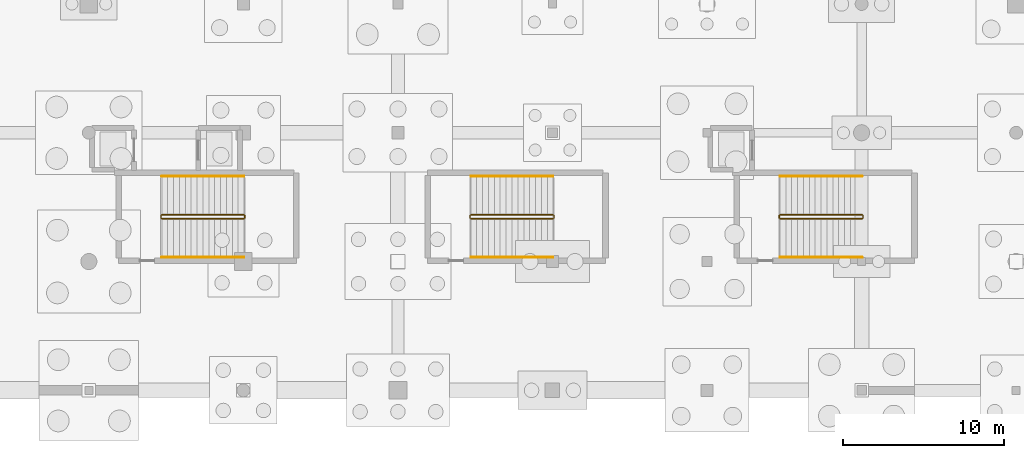
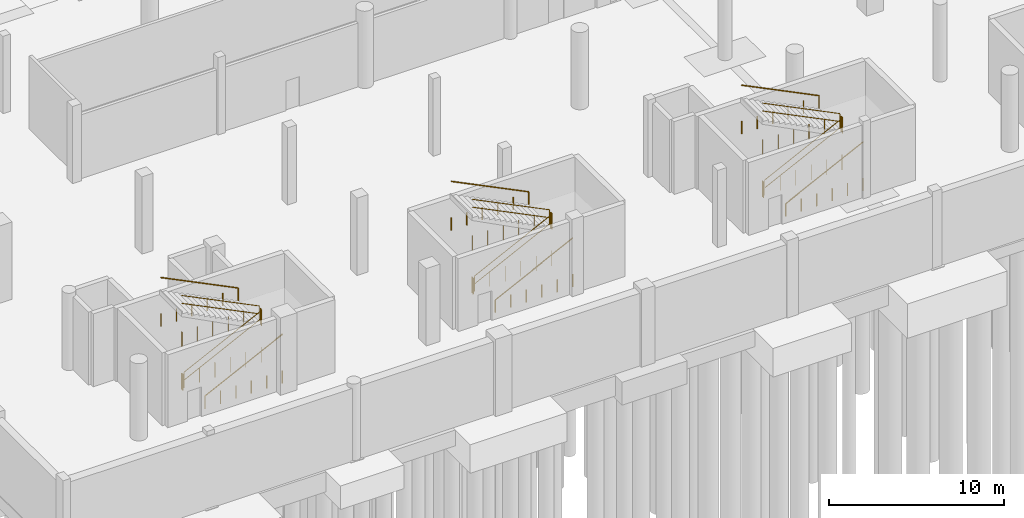
# One storey, part 34 of 44: 18 railings.
"""IFC4 building model written with IfcOpenShell, lengths in metres."""

from ifc_helpers import new_model, si_unit, direction, frame, origin, origin_2d, place, context, subcontext, project, spatial, circle, extrude, material, type_object, element, save


model = new_model("IFC4")

# Units and contexts
model_context = context("Model", 3, precision=1e-05, world=origin(), true_north=direction((0.0, 1.0)))
body_context = subcontext(model_context, "Body", "Model", "MODEL_VIEW")
ifc_project = project(units=[si_unit("LENGTHUNIT", "METRE"), si_unit("AREAUNIT", "SQUARE_METRE"), si_unit("VOLUMEUNIT", "CUBIC_METRE"), si_unit("PLANEANGLEUNIT", "RADIAN"), si_unit("MASSUNIT", "GRAM", prefix="KILO")], contexts=[model_context])

# Site, building, storey
site_placement = place(None, origin())
site = spatial("IfcSite", under=ifc_project, at=site_placement, CompositionType="ELEMENT")
building_placement = place(site_placement, origin())
building = spatial("IfcBuilding", under=site, at=building_placement, Name="Danafjord Basin Convention Centre", CompositionType="ELEMENT")
storey_placement = place(building_placement, frame((0.0, 0.0, -5.39990234375)))
storey = spatial("IfcBuildingStorey", under=building, at=storey_placement, Name="B1", CompositionType="ELEMENT", Elevation=-5.39990234375)

# Railings
ifc_material_1 = material(Name="Galvanised steel S355", Category="steel")
railing_type_1 = type_object("IfcRailingType", Name="RL-GD-WELL", PredefinedType="BALUSTRADE", material=ifc_material_1)
railing_1_placement = place(storey_placement, frame((14.1298828125, 18.659912109375, 0.179931640625)))
element("IfcRailing", 1, at=railing_1_placement, inside=storey, type_object=railing_type_1, Name="B1 ST-01 stair guard 1", PredefinedType="BALUSTRADE", context=body_context, shape_type="SweptSolid", body=[
    extrude(circle(Radius=0.02392578125, at=origin_2d()), frame((0.0, 0.0, 1.076171875), z_axis=(0.896873198966, 0.0, 0.442287762635), x_axis=(0.0, 1.0, 0.0)), (0.0, 0.0, 1.0), 5.69775390625),
    extrude(circle(Radius=0.02392578125, at=origin_2d()), frame((0.0, 0.0, 0.52587890625), z_axis=(0.896873198966, 0.0, 0.442287762635), x_axis=(0.0, 1.0, 0.0)), (0.0, 0.0, 1.0), 5.69775390625),
    extrude(circle(Radius=0.02099609375, at=origin_2d()), origin(), (0.0, 0.0, 1.0), 1.050048828125),
    extrude(circle(Radius=0.02099609375, at=origin_2d()), frame((1.02197265625, 0.0, 0.0)), (0.0, 0.0, 1.0), 1.050048828125),
    extrude(circle(Radius=0.02099609375, at=origin_2d()), frame((2.0439453125, 0.0, 0.0)), (0.0, 0.0, 1.0), 1.050048828125),
    extrude(circle(Radius=0.02099609375, at=origin_2d()), frame((3.066162109375, 0.0, 0.0)), (0.0, 0.0, 1.0), 1.050048828125),
    extrude(circle(Radius=0.02099609375, at=origin_2d()), frame((4.088134765625, 0.0, 0.0)), (0.0, 0.0, 1.0), 1.050048828125),
    extrude(circle(Radius=0.02099609375, at=origin_2d()), frame((5.110107421875, 0.0, 0.0)), (0.0, 0.0, 1.0), 1.050048828125),
])
railing_2_placement = place(storey_placement, frame((19.2900390625, 18.7099609375, 2.699951171875)))
element("IfcRailing", 2, at=railing_2_placement, inside=storey, type_object=railing_type_1, Name="B1 ST-01 stair guard 2", PredefinedType="BALUSTRADE", context=body_context, shape_type="SweptSolid", body=[
    extrude(circle(Radius=0.02392578125, at=origin_2d()), frame((0.0, 0.0, 1.076171875), z_axis=(0.0, 1.0, 0.0), x_axis=(-1.0, 0.0, 0.0)), (0.0, 0.0, 1.0), 0.14013671875),
    extrude(circle(Radius=0.02392578125, at=origin_2d()), frame((0.0, 0.0, 0.52587890625), z_axis=(0.0, 1.0, 0.0), x_axis=(-1.0, 0.0, 0.0)), (0.0, 0.0, 1.0), 0.14013671875),
    extrude(circle(Radius=0.02099609375, at=origin_2d()), origin(), (0.0, 0.0, 1.0), 1.050048828125),
    extrude(circle(Radius=0.02099609375, at=origin_2d()), frame((0.0, 0.14013671875, 0.0)), (0.0, 0.0, 1.0), 1.050048828125),
])
railing_3_placement = place(storey_placement, frame((19.239990234375, 18.89990234375, 2.8798828125)))
element("IfcRailing", 3, at=railing_3_placement, inside=storey, type_object=railing_type_1, Name="B1 ST-01 stair guard 3", PredefinedType="BALUSTRADE", context=body_context, shape_type="SweptSolid", body=[
    extrude(circle(Radius=0.02392578125, at=origin_2d()), frame((0.0, 0.0, 1.076171875), z_axis=(-0.896873198966, 0.0, 0.442287762635), x_axis=(0.0, -1.0, 0.0)), (0.0, 0.0, 1.0), 5.69775390625),
    extrude(circle(Radius=0.02392578125, at=origin_2d()), frame((0.0, 0.0, 0.52587890625), z_axis=(-0.896873198966, 0.0, 0.442287762635), x_axis=(0.0, -1.0, 0.0)), (0.0, 0.0, 1.0), 5.69775390625),
    extrude(circle(Radius=0.02099609375, at=origin_2d()), origin(), (0.0, 0.0, 1.0), 1.050048828125),
    extrude(circle(Radius=0.02099609375, at=origin_2d()), frame((-1.02197265625, 0.0, 0.0)), (0.0, 0.0, 1.0), 1.050048828125),
    extrude(circle(Radius=0.02099609375, at=origin_2d()), frame((-2.0439453125, 0.0, 0.0)), (0.0, 0.0, 1.0), 1.050048828125),
    extrude(circle(Radius=0.02099609375, at=origin_2d()), frame((-3.066162109375, 0.0, 0.0)), (0.0, 0.0, 1.0), 1.050048828125),
    extrude(circle(Radius=0.02099609375, at=origin_2d()), frame((-4.088134765625, 0.0, 0.0)), (0.0, 0.0, 1.0), 1.050048828125),
    extrude(circle(Radius=0.02099609375, at=origin_2d()), frame((-5.110107421875, 0.0, 0.0)), (0.0, 0.0, 1.0), 1.050048828125),
])
railing_4_placement = place(storey_placement, frame((14.080078125, 18.7099609375, 0.0)))
element("IfcRailing", 4, at=railing_4_placement, inside=storey, type_object=railing_type_1, Name="B1 ST-01 stair guard 4", PredefinedType="BALUSTRADE", context=body_context, shape_type="SweptSolid", body=[
    extrude(circle(Radius=0.02392578125, at=origin_2d()), frame((0.0, 0.0, 1.076171875), z_axis=(0.0, 1.0, 0.0), x_axis=(-1.0, 0.0, 0.0)), (0.0, 0.0, 1.0), 0.14013671875),
    extrude(circle(Radius=0.02392578125, at=origin_2d()), frame((0.0, 0.0, 0.52587890625), z_axis=(0.0, 1.0, 0.0), x_axis=(-1.0, 0.0, 0.0)), (0.0, 0.0, 1.0), 0.14013671875),
    extrude(circle(Radius=0.02099609375, at=origin_2d()), origin(), (0.0, 0.0, 1.0), 1.050048828125),
    extrude(circle(Radius=0.02099609375, at=origin_2d()), frame((0.0, 0.14013671875, 0.0)), (0.0, 0.0, 1.0), 1.050048828125),
])
railing_5_placement = place(storey_placement, frame((52.530029296875, 18.659912109375, 0.179931640625)))
element("IfcRailing", 5, at=railing_5_placement, inside=storey, type_object=railing_type_1, Name="B1 ST-05 stair guard 1", PredefinedType="BALUSTRADE", context=body_context, shape_type="SweptSolid", body=[
    extrude(circle(Radius=0.02392578125, at=origin_2d()), frame((0.0, 0.0, 1.076171875), z_axis=(0.89686481642, 0.0, 0.442304760396), x_axis=(0.0, 1.0, 0.0)), (0.0, 0.0, 1.0), 5.697509765625),
    extrude(circle(Radius=0.02392578125, at=origin_2d()), frame((0.0, 0.0, 0.52587890625), z_axis=(0.89686481642, 0.0, 0.442304760396), x_axis=(0.0, 1.0, 0.0)), (0.0, 0.0, 1.0), 5.697509765625),
    extrude(circle(Radius=0.02099609375, at=origin_2d()), origin(), (0.0, 0.0, 1.0), 1.050048828125),
    extrude(circle(Radius=0.02099609375, at=origin_2d()), frame((1.02197265625, 0.0, 0.0)), (0.0, 0.0, 1.0), 1.050048828125),
    extrude(circle(Radius=0.02099609375, at=origin_2d()), frame((2.0439453125, 0.0, 0.0)), (0.0, 0.0, 1.0), 1.050048828125),
    extrude(circle(Radius=0.02099609375, at=origin_2d()), frame((3.06591796875, 0.0, 0.0)), (0.0, 0.0, 1.0), 1.050048828125),
    extrude(circle(Radius=0.02099609375, at=origin_2d()), frame((4.087890625, 0.0, 0.0)), (0.0, 0.0, 1.0), 1.050048828125),
    extrude(circle(Radius=0.02099609375, at=origin_2d()), frame((5.10986328125, 0.0, 0.0)), (0.0, 0.0, 1.0), 1.050048828125),
])
railing_6_placement = place(storey_placement, frame((57.68994140625, 18.7099609375, 2.699951171875)))
element("IfcRailing", 6, at=railing_6_placement, inside=storey, type_object=railing_type_1, Name="B1 ST-05 stair guard 2", PredefinedType="BALUSTRADE", context=body_context, shape_type="SweptSolid", body=[
    extrude(circle(Radius=0.02392578125, at=origin_2d()), frame((0.0, 0.0, 1.076171875), z_axis=(0.0, 1.0, 0.0), x_axis=(-1.0, 0.0, 0.0)), (0.0, 0.0, 1.0), 0.14013671875),
    extrude(circle(Radius=0.02392578125, at=origin_2d()), frame((0.0, 0.0, 0.52587890625), z_axis=(0.0, 1.0, 0.0), x_axis=(-1.0, 0.0, 0.0)), (0.0, 0.0, 1.0), 0.14013671875),
    extrude(circle(Radius=0.02099609375, at=origin_2d()), origin(), (0.0, 0.0, 1.0), 1.050048828125),
    extrude(circle(Radius=0.02099609375, at=origin_2d()), frame((0.0, 0.14013671875, 0.0)), (0.0, 0.0, 1.0), 1.050048828125),
])
railing_7_placement = place(storey_placement, frame((57.639892578125, 18.89990234375, 2.8798828125)))
element("IfcRailing", 7, at=railing_7_placement, inside=storey, type_object=railing_type_1, Name="B1 ST-05 stair guard 3", PredefinedType="BALUSTRADE", context=body_context, shape_type="SweptSolid", body=[
    extrude(circle(Radius=0.02392578125, at=origin_2d()), frame((0.0, 0.0, 1.076171875), z_axis=(-0.89686481642, 0.0, 0.442304760396), x_axis=(0.0, -1.0, 0.0)), (0.0, 0.0, 1.0), 5.697509765625),
    extrude(circle(Radius=0.02392578125, at=origin_2d()), frame((0.0, 0.0, 0.52587890625), z_axis=(-0.89686481642, 0.0, 0.442304760396), x_axis=(0.0, -1.0, 0.0)), (0.0, 0.0, 1.0), 5.697509765625),
    extrude(circle(Radius=0.02099609375, at=origin_2d()), origin(), (0.0, 0.0, 1.0), 1.050048828125),
    extrude(circle(Radius=0.02099609375, at=origin_2d()), frame((-1.02197265625, 0.0, 0.0)), (0.0, 0.0, 1.0), 1.050048828125),
    extrude(circle(Radius=0.02099609375, at=origin_2d()), frame((-2.0439453125, 0.0, 0.0)), (0.0, 0.0, 1.0), 1.050048828125),
    extrude(circle(Radius=0.02099609375, at=origin_2d()), frame((-3.06591796875, 0.0, 0.0)), (0.0, 0.0, 1.0), 1.050048828125),
    extrude(circle(Radius=0.02099609375, at=origin_2d()), frame((-4.087890625, 0.0, 0.0)), (0.0, 0.0, 1.0), 1.050048828125),
    extrude(circle(Radius=0.02099609375, at=origin_2d()), frame((-5.10986328125, 0.0, 0.0)), (0.0, 0.0, 1.0), 1.050048828125),
])
railing_8_placement = place(storey_placement, frame((52.47998046875, 18.7099609375, 0.0)))
element("IfcRailing", 8, at=railing_8_placement, inside=storey, type_object=railing_type_1, Name="B1 ST-05 stair guard 4", PredefinedType="BALUSTRADE", context=body_context, shape_type="SweptSolid", body=[
    extrude(circle(Radius=0.02392578125, at=origin_2d()), frame((0.0, 0.0, 1.076171875), z_axis=(0.0, 1.0, 0.0), x_axis=(-1.0, 0.0, 0.0)), (0.0, 0.0, 1.0), 0.14013671875),
    extrude(circle(Radius=0.02392578125, at=origin_2d()), frame((0.0, 0.0, 0.52587890625), z_axis=(0.0, 1.0, 0.0), x_axis=(-1.0, 0.0, 0.0)), (0.0, 0.0, 1.0), 0.14013671875),
    extrude(circle(Radius=0.02099609375, at=origin_2d()), origin(), (0.0, 0.0, 1.0), 1.050048828125),
    extrude(circle(Radius=0.02099609375, at=origin_2d()), frame((0.0, 0.14013671875, 0.0)), (0.0, 0.0, 1.0), 1.050048828125),
])
railing_9_placement = place(storey_placement, frame((33.330078125, 18.659912109375, 0.179931640625)))
element("IfcRailing", 9, at=railing_9_placement, inside=storey, type_object=railing_type_1, Name="B1 ST-02 stair guard 1", PredefinedType="BALUSTRADE", context=body_context, shape_type="SweptSolid", body=[
    extrude(circle(Radius=0.02392578125, at=origin_2d()), frame((0.0, 0.0, 1.076171875), z_axis=(0.89686481642, 0.0, 0.442304760396), x_axis=(0.0, 1.0, 0.0)), (0.0, 0.0, 1.0), 5.697509765625),
    extrude(circle(Radius=0.02392578125, at=origin_2d()), frame((0.0, 0.0, 0.52587890625), z_axis=(0.89686481642, 0.0, 0.442304760396), x_axis=(0.0, 1.0, 0.0)), (0.0, 0.0, 1.0), 5.697509765625),
    extrude(circle(Radius=0.02099609375, at=origin_2d()), origin(), (0.0, 0.0, 1.0), 1.050048828125),
    extrude(circle(Radius=0.02099609375, at=origin_2d()), frame((1.02197265625, 0.0, 0.0)), (0.0, 0.0, 1.0), 1.050048828125),
    extrude(circle(Radius=0.02099609375, at=origin_2d()), frame((2.0439453125, 0.0, 0.0)), (0.0, 0.0, 1.0), 1.050048828125),
    extrude(circle(Radius=0.02099609375, at=origin_2d()), frame((3.06591796875, 0.0, 0.0)), (0.0, 0.0, 1.0), 1.050048828125),
    extrude(circle(Radius=0.02099609375, at=origin_2d()), frame((4.087890625, 0.0, 0.0)), (0.0, 0.0, 1.0), 1.050048828125),
    extrude(circle(Radius=0.02099609375, at=origin_2d()), frame((5.10986328125, 0.0, 0.0)), (0.0, 0.0, 1.0), 1.050048828125),
])
railing_10_placement = place(storey_placement, frame((38.489990234375, 18.7099609375, 2.699951171875)))
element("IfcRailing", 10, at=railing_10_placement, inside=storey, type_object=railing_type_1, Name="B1 ST-02 stair guard 2", PredefinedType="BALUSTRADE", context=body_context, shape_type="SweptSolid", body=[
    extrude(circle(Radius=0.02392578125, at=origin_2d()), frame((0.0, 0.0, 1.076171875), z_axis=(0.0, 1.0, 0.0), x_axis=(-1.0, 0.0, 0.0)), (0.0, 0.0, 1.0), 0.14013671875),
    extrude(circle(Radius=0.02392578125, at=origin_2d()), frame((0.0, 0.0, 0.52587890625), z_axis=(0.0, 1.0, 0.0), x_axis=(-1.0, 0.0, 0.0)), (0.0, 0.0, 1.0), 0.14013671875),
    extrude(circle(Radius=0.02099609375, at=origin_2d()), origin(), (0.0, 0.0, 1.0), 1.050048828125),
    extrude(circle(Radius=0.02099609375, at=origin_2d()), frame((0.0, 0.14013671875, 0.0)), (0.0, 0.0, 1.0), 1.050048828125),
])
railing_11_placement = place(storey_placement, frame((38.43994140625, 18.89990234375, 2.8798828125)))
element("IfcRailing", 11, at=railing_11_placement, inside=storey, type_object=railing_type_1, Name="B1 ST-02 stair guard 3", PredefinedType="BALUSTRADE", context=body_context, shape_type="SweptSolid", body=[
    extrude(circle(Radius=0.02392578125, at=origin_2d()), frame((0.0, 0.0, 1.076171875), z_axis=(-0.89686481642, 0.0, 0.442304760396), x_axis=(0.0, -1.0, 0.0)), (0.0, 0.0, 1.0), 5.697509765625),
    extrude(circle(Radius=0.02392578125, at=origin_2d()), frame((0.0, 0.0, 0.52587890625), z_axis=(-0.89686481642, 0.0, 0.442304760396), x_axis=(0.0, -1.0, 0.0)), (0.0, 0.0, 1.0), 5.697509765625),
    extrude(circle(Radius=0.02099609375, at=origin_2d()), origin(), (0.0, 0.0, 1.0), 1.050048828125),
    extrude(circle(Radius=0.02099609375, at=origin_2d()), frame((-1.02197265625, 0.0, 0.0)), (0.0, 0.0, 1.0), 1.050048828125),
    extrude(circle(Radius=0.02099609375, at=origin_2d()), frame((-2.0439453125, 0.0, 0.0)), (0.0, 0.0, 1.0), 1.050048828125),
    extrude(circle(Radius=0.02099609375, at=origin_2d()), frame((-3.06591796875, 0.0, 0.0)), (0.0, 0.0, 1.0), 1.050048828125),
    extrude(circle(Radius=0.02099609375, at=origin_2d()), frame((-4.087890625, 0.0, 0.0)), (0.0, 0.0, 1.0), 1.050048828125),
    extrude(circle(Radius=0.02099609375, at=origin_2d()), frame((-5.10986328125, 0.0, 0.0)), (0.0, 0.0, 1.0), 1.050048828125),
])
railing_12_placement = place(storey_placement, frame((33.280029296875, 18.7099609375, 0.0)))
element("IfcRailing", 12, at=railing_12_placement, inside=storey, type_object=railing_type_1, Name="B1 ST-02 stair guard 4", PredefinedType="BALUSTRADE", context=body_context, shape_type="SweptSolid", body=[
    extrude(circle(Radius=0.02392578125, at=origin_2d()), frame((0.0, 0.0, 1.076171875), z_axis=(0.0, 1.0, 0.0), x_axis=(-1.0, 0.0, 0.0)), (0.0, 0.0, 1.0), 0.14013671875),
    extrude(circle(Radius=0.02392578125, at=origin_2d()), frame((0.0, 0.0, 0.52587890625), z_axis=(0.0, 1.0, 0.0), x_axis=(-1.0, 0.0, 0.0)), (0.0, 0.0, 1.0), 0.14013671875),
    extrude(circle(Radius=0.02099609375, at=origin_2d()), origin(), (0.0, 0.0, 1.0), 1.050048828125),
    extrude(circle(Radius=0.02099609375, at=origin_2d()), frame((0.0, 0.14013671875, 0.0)), (0.0, 0.0, 1.0), 1.050048828125),
])
ifc_material_2 = material(Name="Brushed stainless steel EN 1.4404", Category="steel")
railing_type_2 = type_object("IfcRailingType", Name="RL-HR-STAIR", PredefinedType="HANDRAIL", material=ifc_material_2)
railing_13_placement = place(storey_placement, frame((14.1298828125, 16.260009765625, 0.179931640625)))
element("IfcRailing", 13, at=railing_13_placement, inside=storey, type_object=railing_type_2, Name="B1 ST-01 stair handrail 1", PredefinedType="HANDRAIL", context=body_context, shape_type="SweptSolid", body=[
    extrude(circle(Radius=0.02392578125, at=origin_2d()), frame((0.0, 0.0, 0.8759765625), z_axis=(0.896873198966, 0.0, 0.442287762635), x_axis=(0.0, 1.0, 0.0)), (0.0, 0.0, 1.0), 5.69775390625),
    extrude(circle(Radius=0.02099609375, at=origin_2d()), origin(), (0.0, 0.0, 1.0), 0.849853515625),
    extrude(circle(Radius=0.02099609375, at=origin_2d()), frame((1.02197265625, 0.0, 0.0)), (0.0, 0.0, 1.0), 0.849853515625),
    extrude(circle(Radius=0.02099609375, at=origin_2d()), frame((2.0439453125, 0.0, 0.0)), (0.0, 0.0, 1.0), 0.849853515625),
    extrude(circle(Radius=0.02099609375, at=origin_2d()), frame((3.066162109375, 0.0, 0.0)), (0.0, 0.0, 1.0), 0.849853515625),
    extrude(circle(Radius=0.02099609375, at=origin_2d()), frame((4.088134765625, 0.0, 0.0)), (0.0, 0.0, 1.0), 0.849853515625),
    extrude(circle(Radius=0.02099609375, at=origin_2d()), frame((5.110107421875, 0.0, 0.0)), (0.0, 0.0, 1.0), 0.849853515625),
])
railing_14_placement = place(storey_placement, frame((19.239990234375, 21.300048828125, 2.8798828125)))
element("IfcRailing", 14, at=railing_14_placement, inside=storey, type_object=railing_type_2, Name="B1 ST-01 stair handrail 2", PredefinedType="HANDRAIL", context=body_context, shape_type="SweptSolid", body=[
    extrude(circle(Radius=0.02392578125, at=origin_2d()), frame((0.0, 0.0, 0.8759765625), z_axis=(-0.896873198966, 0.0, 0.442287762635), x_axis=(0.0, -1.0, 0.0)), (0.0, 0.0, 1.0), 5.69775390625),
    extrude(circle(Radius=0.02099609375, at=origin_2d()), origin(), (0.0, 0.0, 1.0), 0.849853515625),
    extrude(circle(Radius=0.02099609375, at=origin_2d()), frame((-1.02197265625, 0.0, 0.0)), (0.0, 0.0, 1.0), 0.849853515625),
    extrude(circle(Radius=0.02099609375, at=origin_2d()), frame((-2.0439453125, 0.0, 0.0)), (0.0, 0.0, 1.0), 0.849853515625),
    extrude(circle(Radius=0.02099609375, at=origin_2d()), frame((-3.066162109375, 0.0, 0.0)), (0.0, 0.0, 1.0), 0.849853515625),
    extrude(circle(Radius=0.02099609375, at=origin_2d()), frame((-4.088134765625, 0.0, 0.0)), (0.0, 0.0, 1.0), 0.849853515625),
    extrude(circle(Radius=0.02099609375, at=origin_2d()), frame((-5.110107421875, 0.0, 0.0)), (0.0, 0.0, 1.0), 0.849853515625),
])
railing_15_placement = place(storey_placement, frame((52.530029296875, 16.260009765625, 0.179931640625)))
element("IfcRailing", 15, at=railing_15_placement, inside=storey, type_object=railing_type_2, Name="B1 ST-05 stair handrail 1", PredefinedType="HANDRAIL", context=body_context, shape_type="SweptSolid", body=[
    extrude(circle(Radius=0.02392578125, at=origin_2d()), frame((0.0, 0.0, 0.8759765625), z_axis=(0.89686481642, 0.0, 0.442304760396), x_axis=(0.0, 1.0, 0.0)), (0.0, 0.0, 1.0), 5.697509765625),
    extrude(circle(Radius=0.02099609375, at=origin_2d()), origin(), (0.0, 0.0, 1.0), 0.849853515625),
    extrude(circle(Radius=0.02099609375, at=origin_2d()), frame((1.02197265625, 0.0, 0.0)), (0.0, 0.0, 1.0), 0.849853515625),
    extrude(circle(Radius=0.02099609375, at=origin_2d()), frame((2.0439453125, 0.0, 0.0)), (0.0, 0.0, 1.0), 0.849853515625),
    extrude(circle(Radius=0.02099609375, at=origin_2d()), frame((3.06591796875, 0.0, 0.0)), (0.0, 0.0, 1.0), 0.849853515625),
    extrude(circle(Radius=0.02099609375, at=origin_2d()), frame((4.087890625, 0.0, 0.0)), (0.0, 0.0, 1.0), 0.849853515625),
    extrude(circle(Radius=0.02099609375, at=origin_2d()), frame((5.10986328125, 0.0, 0.0)), (0.0, 0.0, 1.0), 0.849853515625),
])
railing_16_placement = place(storey_placement, frame((57.639892578125, 21.300048828125, 2.8798828125)))
element("IfcRailing", 16, at=railing_16_placement, inside=storey, type_object=railing_type_2, Name="B1 ST-05 stair handrail 2", PredefinedType="HANDRAIL", context=body_context, shape_type="SweptSolid", body=[
    extrude(circle(Radius=0.02392578125, at=origin_2d()), frame((0.0, 0.0, 0.8759765625), z_axis=(-0.89686481642, 0.0, 0.442304760396), x_axis=(0.0, -1.0, 0.0)), (0.0, 0.0, 1.0), 5.697509765625),
    extrude(circle(Radius=0.02099609375, at=origin_2d()), origin(), (0.0, 0.0, 1.0), 0.849853515625),
    extrude(circle(Radius=0.02099609375, at=origin_2d()), frame((-1.02197265625, 0.0, 0.0)), (0.0, 0.0, 1.0), 0.849853515625),
    extrude(circle(Radius=0.02099609375, at=origin_2d()), frame((-2.0439453125, 0.0, 0.0)), (0.0, 0.0, 1.0), 0.849853515625),
    extrude(circle(Radius=0.02099609375, at=origin_2d()), frame((-3.06591796875, 0.0, 0.0)), (0.0, 0.0, 1.0), 0.849853515625),
    extrude(circle(Radius=0.02099609375, at=origin_2d()), frame((-4.087890625, 0.0, 0.0)), (0.0, 0.0, 1.0), 0.849853515625),
    extrude(circle(Radius=0.02099609375, at=origin_2d()), frame((-5.10986328125, 0.0, 0.0)), (0.0, 0.0, 1.0), 0.849853515625),
])
railing_17_placement = place(storey_placement, frame((33.330078125, 16.260009765625, 0.179931640625)))
element("IfcRailing", 17, at=railing_17_placement, inside=storey, type_object=railing_type_2, Name="B1 ST-02 stair handrail 1", PredefinedType="HANDRAIL", context=body_context, shape_type="SweptSolid", body=[
    extrude(circle(Radius=0.02392578125, at=origin_2d()), frame((0.0, 0.0, 0.8759765625), z_axis=(0.89686481642, 0.0, 0.442304760396), x_axis=(0.0, 1.0, 0.0)), (0.0, 0.0, 1.0), 5.697509765625),
    extrude(circle(Radius=0.02099609375, at=origin_2d()), origin(), (0.0, 0.0, 1.0), 0.849853515625),
    extrude(circle(Radius=0.02099609375, at=origin_2d()), frame((1.02197265625, 0.0, 0.0)), (0.0, 0.0, 1.0), 0.849853515625),
    extrude(circle(Radius=0.02099609375, at=origin_2d()), frame((2.0439453125, 0.0, 0.0)), (0.0, 0.0, 1.0), 0.849853515625),
    extrude(circle(Radius=0.02099609375, at=origin_2d()), frame((3.06591796875, 0.0, 0.0)), (0.0, 0.0, 1.0), 0.849853515625),
    extrude(circle(Radius=0.02099609375, at=origin_2d()), frame((4.087890625, 0.0, 0.0)), (0.0, 0.0, 1.0), 0.849853515625),
    extrude(circle(Radius=0.02099609375, at=origin_2d()), frame((5.10986328125, 0.0, 0.0)), (0.0, 0.0, 1.0), 0.849853515625),
])
railing_18_placement = place(storey_placement, frame((38.43994140625, 21.300048828125, 2.8798828125)))
element("IfcRailing", 18, at=railing_18_placement, inside=storey, type_object=railing_type_2, Name="B1 ST-02 stair handrail 2", PredefinedType="HANDRAIL", context=body_context, shape_type="SweptSolid", body=[
    extrude(circle(Radius=0.02392578125, at=origin_2d()), frame((0.0, 0.0, 0.8759765625), z_axis=(-0.89686481642, 0.0, 0.442304760396), x_axis=(0.0, -1.0, 0.0)), (0.0, 0.0, 1.0), 5.697509765625),
    extrude(circle(Radius=0.02099609375, at=origin_2d()), origin(), (0.0, 0.0, 1.0), 0.849853515625),
    extrude(circle(Radius=0.02099609375, at=origin_2d()), frame((-1.02197265625, 0.0, 0.0)), (0.0, 0.0, 1.0), 0.849853515625),
    extrude(circle(Radius=0.02099609375, at=origin_2d()), frame((-2.0439453125, 0.0, 0.0)), (0.0, 0.0, 1.0), 0.849853515625),
    extrude(circle(Radius=0.02099609375, at=origin_2d()), frame((-3.06591796875, 0.0, 0.0)), (0.0, 0.0, 1.0), 0.849853515625),
    extrude(circle(Radius=0.02099609375, at=origin_2d()), frame((-4.087890625, 0.0, 0.0)), (0.0, 0.0, 1.0), 0.849853515625),
    extrude(circle(Radius=0.02099609375, at=origin_2d()), frame((-5.10986328125, 0.0, 0.0)), (0.0, 0.0, 1.0), 0.849853515625),
])

save(model, "model.ifc")
